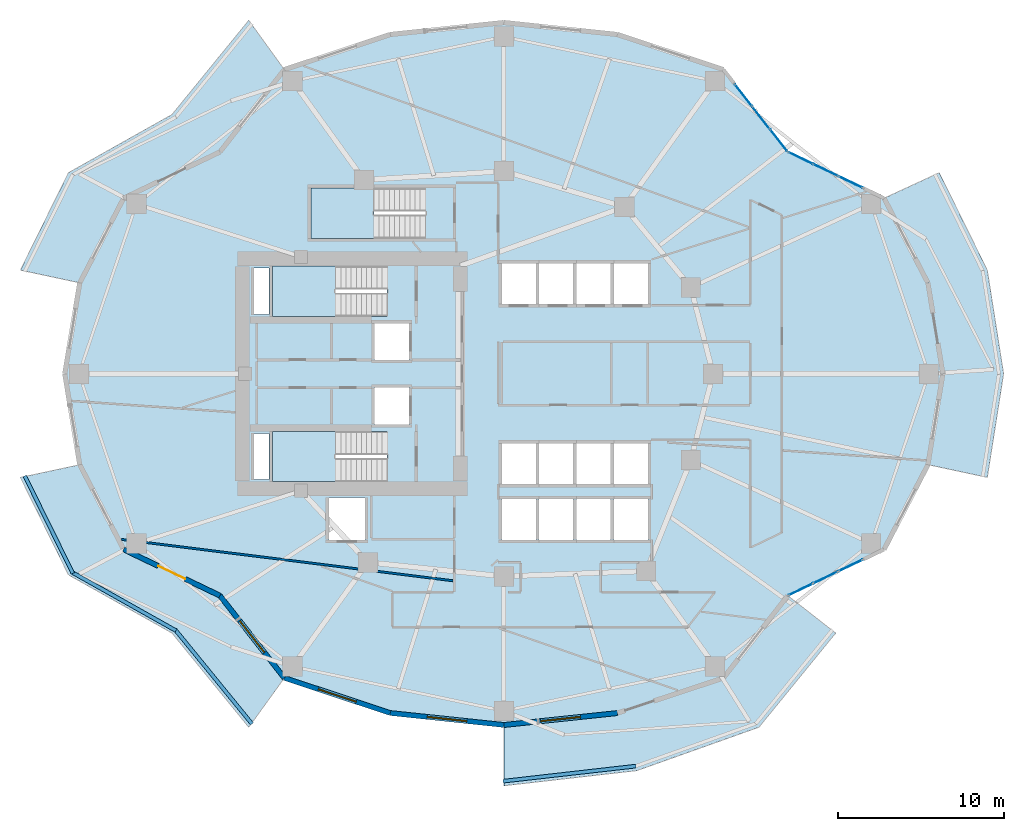
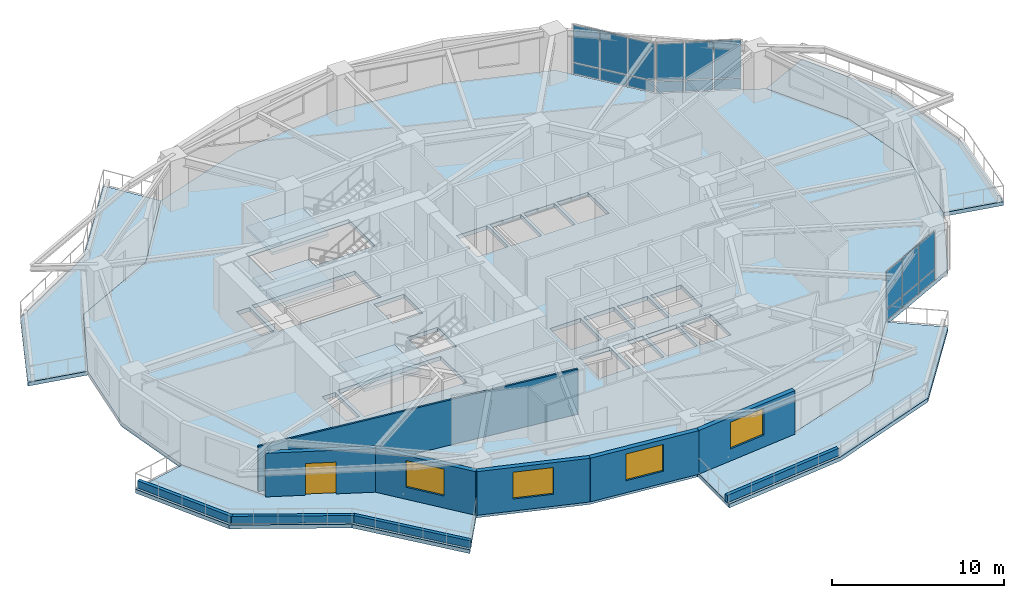
# One storey, part 5 of 13: 21 plates, 10 walls, 8 slabs, 4 windows, 1 door, 5 openings, 6 elements without a shape of their own.
"""IFC4 building model written with IfcOpenShell, lengths in metres."""

from ifc_helpers import new_model, si_unit, direction, frame, frame_2d, origin, origin_2d, place, context, subcontext, project, spatial, polyline, rectangle, outline, extrude, material, layer, layer_set, type_object, element, fill, aggregate, save


model = new_model("IFC4")

# Units and contexts
model_context = context("Model", 3, precision=1e-05, world=origin(), true_north=direction((0.0, 1.0)))
body_context = subcontext(model_context, "Body", "Model", "MODEL_VIEW")
ifc_project = project(units=[si_unit("LENGTHUNIT", "METRE"), si_unit("AREAUNIT", "SQUARE_METRE"), si_unit("VOLUMEUNIT", "CUBIC_METRE"), si_unit("PLANEANGLEUNIT", "RADIAN"), si_unit("MASSUNIT", "GRAM", prefix="KILO")], contexts=[model_context])

# Site, building, storey
site_placement = place(None, origin())
site = spatial("IfcSite", under=ifc_project, at=site_placement, CompositionType="ELEMENT")
building_placement = place(site_placement, origin())
building = spatial("IfcBuilding", under=site, at=building_placement, Name="Kolvaren Gate Tower and Convention Centre", CompositionType="ELEMENT")
storey_placement = place(building_placement, frame((0.0, 0.0, 76.550048828125)))
storey = spatial("IfcBuildingStorey", under=building, at=storey_placement, Name="L18", CompositionType="ELEMENT", Elevation=76.550048828125)

# Plates
ifc_material_1 = material(Name="Perforated Anodized Bronze Aluminium Sheet 6 mm", Category="aluminium")
ifc_layer_1 = layer(ifc_material_1, 0.011962890625)
ifc_layer_set_1 = layer_set([ifc_layer_1], Name="Perforated Anodized Bronze Aluminium Sheet 6 mm")
plate_type_1 = type_object("IfcPlateType", Name="ARCH-PL-SCREEN-PERF", PredefinedType="SHEET", material=ifc_layer_set_1)
for number, where, z_axis, x_axis, name in (
    (1, (50.122314453125, 38.967529296875, 2.72998046875), (0.0, 0.0, 1.0), (0.901357634097, -0.433075530889, 0.0), "Tower L18 Perforated Bronze Solar Screen SS-02"),
    (2, (45.283935546875, 42.83837890625, 2.72998046875), (0.0, 0.0, 1.0), (0.616431370541, -0.787408639407, 0.0), "Tower L18 Perforated Bronze Solar Screen SS-03"),
    (3, (50.122314453125, 15.032470703125, 2.72998046875), (0.0, 0.0, 1.0), (0.901357634097, 0.433075530889, 0.0), "Tower L18 Perforated Bronze Solar Screen SS-21"),
):
    element("IfcPlate", number, at=place(storey_placement, frame(where, z_axis=z_axis, x_axis=x_axis)), inside=storey, type_object=plate_type_1, Name=name, PredefinedType="SHEET", context=body_context, shape_type="SweptSolid", body=[
        extrude(rectangle(XDim=2.60009765625, YDim=0.011962890625, at=origin_2d()), origin(), (0.0, 0.0, 1.0), 0.840087890625),
    ])

# Curtain wall, plates
ifc_material_2 = material(Name="Anodized Architectural Aluminium Alloy 6063-T6", Category="aluminium")
ifc_layer_2 = layer(ifc_material_2, 0.159912109375)
ifc_layer_set_2 = layer_set([ifc_layer_2], Name="Anodized Architectural Aluminium Alloy 6063-T6")
curtain_wall_type = type_object("IfcCurtainWallType", Name="CW-OFF-UNIT", PredefinedType="NOTDEFINED", material=ifc_layer_set_2)
curtain_wall_1_placement = place(storey_placement, origin())
curtain_wall_1 = element("IfcCurtainWall", 4, at=curtain_wall_1_placement, inside=storey, type_object=curtain_wall_type, Name="Tower L18 Unitised Curtain Wall CW-OFF-UNIT Bay 02", PredefinedType="NOTDEFINED")
ifc_material_3 = material(Name="Low-E Triple Insulated Glazing Unit 44 mm", Category="glass")
ifc_layer_3 = layer(ifc_material_3, 0.0439453125)
ifc_layer_set_3 = layer_set([ifc_layer_3], Name="Low-E Triple Insulated Glazing Unit 44 mm")
plate_type_2 = type_object("IfcPlateType", Name="CW-PL-IGU-44", PredefinedType="CURTAIN_PANEL", material=ifc_layer_set_3)
plate_1_placement = place(storey_placement, frame((47.997314453125, 39.988525390625, 0.88232421875), z_axis=(0.0, 0.0, 1.0), x_axis=(0.901361695796, -0.433067077196, 0.0)))
plate_1 = element("IfcPlate", 5, at=plate_1_placement, type_object=plate_type_2, Name="CW-02 panel 1.2", PredefinedType="CURTAIN_PANEL", context=body_context, shape_type="SweptSolid", body=[
    extrude(rectangle(XDim=1.5859375, YDim=0.0439453125, at=origin_2d()), origin(), (0.0, 0.0, 1.0), 2.62255859375),
])
plate_2_placement = place(storey_placement, frame((49.499755859375, 39.2666015625, 0.88232421875), z_axis=(0.0, 0.0, 1.0), x_axis=(0.901361695796, -0.433067077196, 0.0)))
plate_2 = element("IfcPlate", 6, at=plate_2_placement, type_object=plate_type_2, Name="CW-02 panel 2.2", PredefinedType="CURTAIN_PANEL", context=body_context, shape_type="SweptSolid", body=[
    extrude(rectangle(XDim=1.618408203125, YDim=0.0439453125, at=origin_2d()), origin(), (0.0, 0.0, 1.0), 2.62255859375),
])
plate_3_placement = place(storey_placement, frame((51.00244140625, 38.544677734375, 0.88232421875), z_axis=(0.0, 0.0, 1.0), x_axis=(0.901361695796, -0.433067077196, 0.0)))
plate_3 = element("IfcPlate", 7, at=plate_3_placement, type_object=plate_type_2, Name="CW-02 panel 3.2", PredefinedType="CURTAIN_PANEL", context=body_context, shape_type="SweptSolid", body=[
    extrude(rectangle(XDim=1.5859375, YDim=0.0439453125, at=origin_2d()), origin(), (0.0, 0.0, 1.0), 2.62255859375),
])

curtain_wall_2_placement = place(storey_placement, origin())
curtain_wall_2 = element("IfcCurtainWall", 8, at=curtain_wall_2_placement, inside=storey, type_object=curtain_wall_type, Name="Tower L18 Unitised Curtain Wall CW-OFF-UNIT Bay 03", PredefinedType="NOTDEFINED")
plate_4_placement = place(storey_placement, frame((44.55322265625, 43.771484375, 0.88232421875), z_axis=(0.0, 0.0, 1.0), x_axis=(0.61643432946, -0.787406322976, 0.0)))
plate_4 = element("IfcPlate", 9, at=plate_4_placement, type_object=plate_type_2, Name="CW-02 panel 1.2", PredefinedType="CURTAIN_PANEL", context=body_context, shape_type="SweptSolid", body=[
    extrude(rectangle(XDim=1.641845703125, YDim=0.0439453125, at=origin_2d()), origin(), (0.0, 0.0, 1.0), 2.62255859375),
])
plate_5_placement = place(storey_placement, frame((45.615478515625, 42.41455078125, 0.88232421875), z_axis=(0.0, 0.0, 1.0), x_axis=(0.61643432946, -0.787406322976, 0.0)))
plate_5 = element("IfcPlate", 10, at=plate_5_placement, type_object=plate_type_2, Name="CW-02 panel 2.2", PredefinedType="CURTAIN_PANEL", context=body_context, shape_type="SweptSolid", body=[
    extrude(rectangle(XDim=1.674560546875, YDim=0.0439453125, at=origin_2d()), origin(), (0.0, 0.0, 1.0), 2.62255859375),
])
plate_6_placement = place(storey_placement, frame((46.677734375, 41.0576171875, 0.88232421875), z_axis=(0.0, 0.0, 1.0), x_axis=(0.61643432946, -0.787406322976, 0.0)))
plate_6 = element("IfcPlate", 11, at=plate_6_placement, type_object=plate_type_2, Name="CW-02 panel 3.2", PredefinedType="CURTAIN_PANEL", context=body_context, shape_type="SweptSolid", body=[
    extrude(rectangle(XDim=1.641845703125, YDim=0.0439453125, at=origin_2d()), origin(), (0.0, 0.0, 1.0), 2.62255859375),
])

curtain_wall_3_placement = place(storey_placement, origin())
curtain_wall_3 = element("IfcCurtainWall", 12, at=curtain_wall_3_placement, inside=storey, type_object=curtain_wall_type, Name="Tower L18 Unitised Curtain Wall CW-OFF-UNIT Bay 21", PredefinedType="NOTDEFINED")
plate_7_placement = place(storey_placement, frame((47.997314453125, 14.011474609375, 0.88232421875), z_axis=(0.0, 0.0, 1.0), x_axis=(0.901361695796, 0.433067077196, 0.0)))
plate_7 = element("IfcPlate", 13, at=plate_7_placement, type_object=plate_type_2, Name="CW-02 panel 1.2", PredefinedType="CURTAIN_PANEL", context=body_context, shape_type="SweptSolid", body=[
    extrude(rectangle(XDim=1.5859375, YDim=0.0439453125, at=origin_2d()), origin(), (0.0, 0.0, 1.0), 2.62255859375),
])
plate_8_placement = place(storey_placement, frame((49.499755859375, 14.7333984375, 0.88232421875), z_axis=(0.0, 0.0, 1.0), x_axis=(0.901361695796, 0.433067077196, 0.0)))
plate_8 = element("IfcPlate", 14, at=plate_8_placement, type_object=plate_type_2, Name="CW-02 panel 2.2", PredefinedType="CURTAIN_PANEL", context=body_context, shape_type="SweptSolid", body=[
    extrude(rectangle(XDim=1.618408203125, YDim=0.0439453125, at=origin_2d()), origin(), (0.0, 0.0, 1.0), 2.62255859375),
])
plate_9_placement = place(storey_placement, frame((51.00244140625, 15.455322265625, 0.88232421875), z_axis=(0.0, 0.0, 1.0), x_axis=(0.901361695796, 0.433067077196, 0.0)))
plate_9 = element("IfcPlate", 15, at=plate_9_placement, type_object=plate_type_2, Name="CW-02 panel 3.2", PredefinedType="CURTAIN_PANEL", context=body_context, shape_type="SweptSolid", body=[
    extrude(rectangle(XDim=1.5859375, YDim=0.0439453125, at=origin_2d()), origin(), (0.0, 0.0, 1.0), 2.62255859375),
])

# Plate
ifc_material_4 = material(Name="Solar-Control Laminated Curtain Glazing 36 mm", Category="glass")
ifc_layer_4 = layer(ifc_material_4, 0.035888671875)
ifc_layer_set_4 = layer_set([ifc_layer_4], Name="Solar-Control Laminated Curtain Glazing 36 mm")
plate_type_3 = type_object("IfcPlateType", Name="CW-PL-SPAN-36", PredefinedType="CURTAIN_PANEL", material=ifc_layer_set_4)
plate_10_placement = place(storey_placement, frame((47.997314453125, 39.988525390625, 0.06494140625), z_axis=(0.0, 0.0, 1.0), x_axis=(0.901361695796, -0.433067077196, 0.0)))
plate_10 = element("IfcPlate", 16, at=plate_10_placement, type_object=plate_type_3, Name="CW-02 panel 1.1", PredefinedType="CURTAIN_PANEL", context=body_context, shape_type="SweptSolid", body=[
    extrude(rectangle(XDim=1.5859375, YDim=0.035888671875, at=origin_2d()), origin(), (0.0, 0.0, 1.0), 0.75244140625),
])

plate_11_placement = place(storey_placement, frame((49.499755859375, 39.2666015625, 0.06494140625), z_axis=(0.0, 0.0, 1.0), x_axis=(0.901361695796, -0.433067077196, 0.0)))
plate_11 = element("IfcPlate", 17, at=plate_11_placement, type_object=plate_type_3, Name="CW-02 panel 2.1", PredefinedType="CURTAIN_PANEL", context=body_context, shape_type="SweptSolid", body=[
    extrude(rectangle(XDim=1.618408203125, YDim=0.035888671875, at=origin_2d()), origin(), (0.0, 0.0, 1.0), 0.75244140625),
])

plate_12_placement = place(storey_placement, frame((51.00244140625, 38.544677734375, 0.06494140625), z_axis=(0.0, 0.0, 1.0), x_axis=(0.901361695796, -0.433067077196, 0.0)))
plate_12 = element("IfcPlate", 18, at=plate_12_placement, type_object=plate_type_3, Name="CW-02 panel 3.1", PredefinedType="CURTAIN_PANEL", context=body_context, shape_type="SweptSolid", body=[
    extrude(rectangle(XDim=1.5859375, YDim=0.035888671875, at=origin_2d()), origin(), (0.0, 0.0, 1.0), 0.75244140625),
])

aggregate(curtain_wall_1, [plate_10, plate_1, plate_11, plate_2, plate_12, plate_3])

plate_13_placement = place(storey_placement, frame((44.55322265625, 43.771484375, 0.06494140625), z_axis=(0.0, 0.0, 1.0), x_axis=(0.61643432946, -0.787406322976, 0.0)))
plate_13 = element("IfcPlate", 19, at=plate_13_placement, type_object=plate_type_3, Name="CW-02 panel 1.1", PredefinedType="CURTAIN_PANEL", context=body_context, shape_type="SweptSolid", body=[
    extrude(rectangle(XDim=1.641845703125, YDim=0.035888671875, at=origin_2d()), origin(), (0.0, 0.0, 1.0), 0.75244140625),
])

plate_14_placement = place(storey_placement, frame((45.615478515625, 42.41455078125, 0.06494140625), z_axis=(0.0, 0.0, 1.0), x_axis=(0.61643432946, -0.787406322976, 0.0)))
plate_14 = element("IfcPlate", 20, at=plate_14_placement, type_object=plate_type_3, Name="CW-02 panel 2.1", PredefinedType="CURTAIN_PANEL", context=body_context, shape_type="SweptSolid", body=[
    extrude(rectangle(XDim=1.674560546875, YDim=0.035888671875, at=origin_2d()), origin(), (0.0, 0.0, 1.0), 0.75244140625),
])

plate_15_placement = place(storey_placement, frame((46.677734375, 41.0576171875, 0.06494140625), z_axis=(0.0, 0.0, 1.0), x_axis=(0.61643432946, -0.787406322976, 0.0)))
plate_15 = element("IfcPlate", 21, at=plate_15_placement, type_object=plate_type_3, Name="CW-02 panel 3.1", PredefinedType="CURTAIN_PANEL", context=body_context, shape_type="SweptSolid", body=[
    extrude(rectangle(XDim=1.641845703125, YDim=0.035888671875, at=origin_2d()), origin(), (0.0, 0.0, 1.0), 0.75244140625),
])

aggregate(curtain_wall_2, [plate_13, plate_4, plate_14, plate_5, plate_15, plate_6])

plate_16_placement = place(storey_placement, frame((47.997314453125, 14.011474609375, 0.06494140625), z_axis=(0.0, 0.0, 1.0), x_axis=(0.901361695796, 0.433067077196, 0.0)))
plate_16 = element("IfcPlate", 22, at=plate_16_placement, type_object=plate_type_3, Name="CW-02 panel 1.1", PredefinedType="CURTAIN_PANEL", context=body_context, shape_type="SweptSolid", body=[
    extrude(rectangle(XDim=1.5859375, YDim=0.035888671875, at=origin_2d()), origin(), (0.0, 0.0, 1.0), 0.75244140625),
])

plate_17_placement = place(storey_placement, frame((49.499755859375, 14.7333984375, 0.06494140625), z_axis=(0.0, 0.0, 1.0), x_axis=(0.901361695796, 0.433067077196, 0.0)))
plate_17 = element("IfcPlate", 23, at=plate_17_placement, type_object=plate_type_3, Name="CW-02 panel 2.1", PredefinedType="CURTAIN_PANEL", context=body_context, shape_type="SweptSolid", body=[
    extrude(rectangle(XDim=1.618408203125, YDim=0.035888671875, at=origin_2d()), origin(), (0.0, 0.0, 1.0), 0.75244140625),
])

plate_18_placement = place(storey_placement, frame((51.00244140625, 15.455322265625, 0.06494140625), z_axis=(0.0, 0.0, 1.0), x_axis=(0.901361695796, 0.433067077196, 0.0)))
plate_18 = element("IfcPlate", 24, at=plate_18_placement, type_object=plate_type_3, Name="CW-02 panel 3.1", PredefinedType="CURTAIN_PANEL", context=body_context, shape_type="SweptSolid", body=[
    extrude(rectangle(XDim=1.5859375, YDim=0.035888671875, at=origin_2d()), origin(), (0.0, 0.0, 1.0), 0.75244140625),
])

aggregate(curtain_wall_3, [plate_16, plate_7, plate_17, plate_8, plate_18, plate_9])

# Slabs
ifc_material_5 = material(Name="Concrete C50/60", Category="concrete")
ifc_layer_5 = layer(ifc_material_5, 0.27001953125)
ifc_layer_set_5 = layer_set([ifc_layer_5], Name="Concrete C50/60")
slab_type_1 = type_object("IfcSlabType", Name="STR-SL-BALC-270", PredefinedType="FLOOR", material=ifc_layer_set_5)
slab_1_placement = place(storey_placement, frame((0.0, 0.0, -0.27001953125)))
element("IfcSlab", 25, at=slab_1_placement, inside=storey, type_object=slab_type_1, Name="Tower L18 Planted Balcony Terrace Slab 1 (West)", PredefinedType="FLOOR", context=body_context, shape_type="SweptSolid", body=[
    extrude(outline(polyline([(16.90625, 45.31640625), (13.026123046875, 40.360107421875), (7.2294921875, 37.574951171875), (4.58837890625, 32.47412109375), (1.009521484375, 33.2412109375), (3.90673828125, 39.109619140625), (10.14208984375, 42.613525390625), (14.764404296875, 48.2841796875), (16.90625, 45.31640625)])), origin(), (0.0, 0.0, 1.0), 0.27001953125),
])
slab_2_placement = place(storey_placement, frame((0.0, 0.0, -0.27001953125)))
element("IfcSlab", 26, at=slab_2_placement, inside=storey, type_object=slab_type_1, Name="Tower L18 Planted Balcony Terrace Slab 2 (West)", PredefinedType="FLOOR", context=body_context, shape_type="SweptSolid", body=[
    extrude(outline(polyline([(4.58837890625, 21.52587890625), (7.2294921875, 16.425048828125), (13.026123046875, 13.639892578125), (16.90625, 8.68359375), (14.764404296875, 5.7158203125), (10.14208984375, 11.386474609375), (3.90673828125, 14.890380859375), (1.009521484375, 20.7587890625), (4.58837890625, 21.52587890625)])), origin(), (0.0, 0.0, 1.0), 0.27001953125),
])
slab_3_placement = place(storey_placement, frame((0.0, 0.0, -0.27001953125)))
element("IfcSlab", 27, at=slab_3_placement, inside=storey, type_object=slab_type_1, Name="Tower L18 Planted Balcony Terrace Slab 3 (South)", PredefinedType="FLOOR", context=body_context, shape_type="SweptSolid", body=[
    extrude(outline(polyline([(30.125, 5.85009765625), (36.967529296875, 6.57080078125), (43.34375, 8.68359375), (47.223876953125, 13.639892578125), (50.10791015625, 11.386474609375), (45.485595703125, 5.7158203125), (38.1298828125, 3.10009765625), (30.125, 2.18994140625), (30.125, 5.85009765625)])), origin(), (0.0, 0.0, 1.0), 0.27001953125),
])
slab_4_placement = place(storey_placement, frame((0.0, 0.0, -0.27001953125)))
element("IfcSlab", 28, at=slab_4_placement, inside=storey, type_object=slab_type_1, Name="Tower L18 Planted Balcony Terrace Slab 4 (East)", PredefinedType="FLOOR", context=body_context, shape_type="SweptSolid", body=[
    extrude(outline(polyline([(55.66162109375, 21.52587890625), (56.5625, 27.0), (55.66162109375, 32.47412109375), (53.0205078125, 37.574951171875), (56.34326171875, 39.109619140625), (59.240478515625, 33.2412109375), (60.222412109375, 27.0), (59.240478515625, 20.7587890625), (55.66162109375, 21.52587890625)])), origin(), (0.0, 0.0, 1.0), 0.27001953125),
])
ifc_layer_6 = layer(ifc_material_5, 0.280029296875)
ifc_layer_set_6 = layer_set([ifc_layer_6], Name="Concrete C50/60")
slab_type_2 = type_object("IfcSlabType", Name="STR-SL-FLR-280", PredefinedType="FLOOR", material=ifc_layer_set_6)
slab_5_placement = place(storey_placement, frame((0.0, 0.0, -0.280029296875)))
element("IfcSlab", 29, at=slab_5_placement, inside=storey, type_object=slab_type_2, Name="Tower L18 Structural Floor Slab", PredefinedType="FLOOR", context=body_context, shape_type="SweptSolid", body=[
    extrude(outline(polyline([(56.5625, 27.0), (55.66162109375, 32.47412109375), (53.0205078125, 37.574951171875), (47.223876953125, 40.360107421875), (43.34375, 45.31640625), (36.967529296875, 47.42919921875), (30.125, 48.14990234375), (23.282470703125, 47.42919921875), (16.90625, 45.31640625), (13.026123046875, 40.360107421875), (7.2294921875, 37.574951171875), (4.58837890625, 32.47412109375), (3.6875, 27.0), (4.58837890625, 21.52587890625), (7.2294921875, 16.425048828125), (13.026123046875, 13.639892578125), (16.90625, 8.68359375), (23.282470703125, 6.57080078125), (30.125, 5.85009765625), (36.967529296875, 6.57080078125), (43.34375, 8.68359375), (47.223876953125, 13.639892578125), (53.0205078125, 16.425048828125), (55.66162109375, 21.52587890625), (56.5625, 27.0)]), holes=[polyline([(36.75, 33.64990234375), (38.800048828125, 33.64990234375), (38.800048828125, 31.199951171875), (36.75, 31.199951171875), (36.75, 33.64990234375)]), polyline([(36.75, 20.35009765625), (36.75, 22.800048828125), (38.800048828125, 22.800048828125), (38.800048828125, 20.35009765625), (36.75, 20.35009765625)]), polyline([(36.75, 17.0), (36.75, 19.449951171875), (38.800048828125, 19.449951171875), (38.800048828125, 17.0), (36.75, 17.0)]), polyline([(34.5, 33.64990234375), (36.550048828125, 33.64990234375), (36.550048828125, 31.199951171875), (34.5, 31.199951171875), (34.5, 33.64990234375)]), polyline([(34.5, 22.800048828125), (36.550048828125, 22.800048828125), (36.550048828125, 20.35009765625), (34.5, 20.35009765625), (34.5, 22.800048828125)]), polyline([(34.5, 17.0), (34.5, 19.449951171875), (36.550048828125, 19.449951171875), (36.550048828125, 17.0), (34.5, 17.0)]), polyline([(32.25, 31.199951171875), (32.25, 33.64990234375), (34.300048828125, 33.64990234375), (34.300048828125, 31.199951171875), (32.25, 31.199951171875)]), polyline([(32.25, 22.800048828125), (34.300048828125, 22.800048828125), (34.300048828125, 20.35009765625), (32.25, 20.35009765625), (32.25, 22.800048828125)]), polyline([(32.25, 17.0), (32.25, 19.449951171875), (34.300048828125, 19.449951171875), (34.300048828125, 17.0), (32.25, 17.0)]), polyline([(30.0, 31.199951171875), (30.0, 33.64990234375), (32.050048828125, 33.64990234375), (32.050048828125, 31.199951171875), (30.0, 31.199951171875)]), polyline([(30.0, 20.35009765625), (30.0, 22.800048828125), (32.050048828125, 22.800048828125), (32.050048828125, 20.35009765625), (30.0, 20.35009765625)]), polyline([(30.0, 17.0), (30.0, 19.449951171875), (32.050048828125, 19.449951171875), (32.050048828125, 17.0), (30.0, 17.0)]), polyline([(25.39990234375, 35.159912109375), (18.5, 35.159912109375), (18.5, 38.199951171875), (25.39990234375, 38.199951171875), (25.39990234375, 35.159912109375)]), polyline([(22.35009765625, 27.840087890625), (22.35009765625, 30.0400390625), (24.39990234375, 30.0400390625), (24.39990234375, 27.840087890625), (22.35009765625, 27.840087890625)]), polyline([(22.35009765625, 23.9599609375), (22.35009765625, 26.159912109375), (24.39990234375, 26.159912109375), (24.39990234375, 23.9599609375), (22.35009765625, 23.9599609375)]), polyline([(23.10009765625, 30.4599609375), (16.199951171875, 30.4599609375), (16.199951171875, 33.5), (23.10009765625, 33.5), (23.10009765625, 30.4599609375)]), polyline([(23.10009765625, 20.5), (16.199951171875, 20.5), (16.199951171875, 23.5400390625), (23.10009765625, 23.5400390625), (23.10009765625, 20.5)]), polyline([(19.60009765625, 17.0), (19.60009765625, 19.550048828125), (21.75, 19.550048828125), (21.75, 17.0), (19.60009765625, 17.0)]), polyline([(15.080078125, 23.419921875), (15.969970703125, 23.419921875), (15.969970703125, 20.6298828125), (15.080078125, 20.6298828125), (15.080078125, 23.419921875)]), polyline([(15.080078125, 30.580078125), (15.080078125, 33.3701171875), (15.969970703125, 33.3701171875), (15.969970703125, 30.580078125), (15.080078125, 30.580078125)])]), origin(), (0.0, 0.0, 1.0), 0.280029296875),
])

# Stair, slab
stair_type = type_object("IfcStairType", Name="STR-STAIR-CORE", PredefinedType="HALF_TURN_STAIR", material=ifc_material_5)
stair_1_placement = place(storey_placement, origin())
stair_1 = element("IfcStair", 30, at=stair_1_placement, inside=storey, type_object=stair_type, Name="L18 Tower North Exit Stair ST-T1", PredefinedType="HALF_TURN_STAIR")
ifc_layer_7 = layer(ifc_material_5, 0.199951171875)
ifc_layer_set_7 = layer_set([ifc_layer_7], Name="Concrete C50/60")
slab_type_3 = type_object("IfcSlabType", Name="STR-SL-LAND-200", PredefinedType="LANDING", material=ifc_layer_set_7)
slab_6_placement = place(storey_placement, frame((0.0, 0.0, 1.724853515625)))
slab_6 = element("IfcSlab", 31, at=slab_6_placement, type_object=slab_type_3, Name="ST-T1 landing 1", PredefinedType="LANDING", context=body_context, shape_type="SweptSolid", body=[
    extrude(outline(polyline([(20.0, 33.5), (16.199951171875, 33.5), (16.199951171875, 30.4599609375), (20.0, 30.4599609375), (20.0, 33.5)])), origin(), (0.0, 0.0, 1.0), 0.2001953125),
])
aggregate(stair_1, [slab_6])

stair_2_placement = place(storey_placement, origin())
stair_2 = element("IfcStair", 32, at=stair_2_placement, inside=storey, type_object=stair_type, Name="L18 Tower South Exit Stair ST-T2", PredefinedType="HALF_TURN_STAIR")
slab_7_placement = place(storey_placement, frame((0.0, 0.0, 1.724853515625)))
slab_7 = element("IfcSlab", 33, at=slab_7_placement, type_object=slab_type_3, Name="ST-T2 landing 1", PredefinedType="LANDING", context=body_context, shape_type="SweptSolid", body=[
    extrude(outline(polyline([(20.0, 23.5400390625), (16.199951171875, 23.5400390625), (16.199951171875, 20.5), (20.0, 20.5), (20.0, 23.5400390625)])), origin(), (0.0, 0.0, 1.0), 0.2001953125),
])
aggregate(stair_2, [slab_7])

stair_3_placement = place(storey_placement, origin())
stair_3 = element("IfcStair", 34, at=stair_3_placement, inside=storey, type_object=stair_type, Name="L18 Tower Mid-Zone Exit Stair ST-T3", PredefinedType="HALF_TURN_STAIR")
slab_8_placement = place(storey_placement, frame((0.0, 0.0, 1.724853515625)))
slab_8 = element("IfcSlab", 35, at=slab_8_placement, type_object=slab_type_3, Name="ST-T3 landing 1", PredefinedType="LANDING", context=body_context, shape_type="SweptSolid", body=[
    extrude(outline(polyline([(22.300048828125, 38.199951171875), (18.5, 38.199951171875), (18.5, 35.159912109375), (22.300048828125, 35.159912109375), (22.300048828125, 38.199951171875)])), origin(), (0.0, 0.0, 1.0), 0.2001953125),
])
aggregate(stair_3, [slab_8])

# Walls
ifc_material_6 = material(Name="Fire-Rated Acoustic Gypsum Stud Partition", Category="gypsum")
ifc_layer_8 = layer(ifc_material_6, 0.1201171875)
ifc_layer_set_8 = layer_set([ifc_layer_8], Name="Fire-Rated Acoustic Gypsum Stud Partition")
wall_type_1 = type_object("IfcWallType", Name="ARCH-WL-PART-120", PredefinedType="PARTITIONING", material=ifc_layer_set_8)
wall_1_placement = place(storey_placement, frame((7.08935546875, 17.0263671875, 0.0), z_axis=(0.0, 0.0, 1.0), x_axis=(0.992316064114, -0.123728852337, 0.0)))
element("IfcWall", 36, at=wall_1_placement, inside=storey, type_object=wall_type_1, Name="Interior Partition WL-L18-INT-045", PredefinedType="PARTITIONING", context=body_context, shape_type="SweptSolid", body=[
    extrude(rectangle(XDim=20.138427734375, YDim=0.1201171875, at=frame_2d((10.0693359375, 0.0))), origin(), (0.0, 0.0, 1.0), 3.204833984375),
])
ifc_material_7 = material(Name="Piedmont Cream Honed Limestone Cladding", Category="masonry")
ifc_layer_9 = layer(ifc_material_7, 0.219970703125)
ifc_layer_set_9 = layer_set([ifc_layer_9], Name="Piedmont Cream Honed Limestone Cladding")
wall_type_2 = type_object("IfcWallType", Name="ARCH-WL-PLANTER-220", PredefinedType="PARAPET", material=ifc_layer_set_9)
wall_2_placement = place(storey_placement, frame((1.275390625, 20.846923828125, 0.0), z_axis=(0.0, 0.0, 1.0), x_axis=(0.442686636348, -0.89667638644, 0.0)))
element("IfcWall", 37, at=wall_2_placement, inside=storey, type_object=wall_type_2, Name="Vertical-Forest Balcony Stone Planter Kerb PK-L18-2.1", PredefinedType="PARAPET", context=body_context, shape_type="SweptSolid", body=[
    extrude(rectangle(XDim=6.544677734375, YDim=0.219970703125, at=frame_2d((3.2724609375, 0.0))), origin(), (0.0, 0.0, 1.0), 0.52001953125),
])
wall_3_placement = place(storey_placement, frame((4.14697265625, 15.034423828125, 0.0), z_axis=(0.0, 0.0, 1.0), x_axis=(0.871775109335, -0.489906275468, 0.0)))
element("IfcWall", 38, at=wall_3_placement, inside=storey, type_object=wall_type_2, Name="Vertical-Forest Balcony Stone Planter Kerb PK-L18-2.2", PredefinedType="PARAPET", context=body_context, shape_type="SweptSolid", body=[
    extrude(rectangle(XDim=7.152099609375, YDim=0.219970703125, at=frame_2d((3.576171875, 0.0))), origin(), (0.0, 0.0, 1.0), 0.52001953125),
])
wall_4_placement = place(storey_placement, frame((10.335693359375, 11.588623046875, 0.0), z_axis=(0.0, 0.0, 1.0), x_axis=(0.631819273026, -0.775115737315, 0.0)))
element("IfcWall", 39, at=wall_4_placement, inside=storey, type_object=wall_type_2, Name="Vertical-Forest Balcony Stone Planter Kerb PK-L18-2.3", PredefinedType="PARAPET", context=body_context, shape_type="SweptSolid", body=[
    extrude(rectangle(XDim=7.31591796875, YDim=0.219970703125, at=frame_2d((3.657958984375, 0.0))), origin(), (0.0, 0.0, 1.0), 0.52001953125),
])
wall_5_placement = place(storey_placement, frame((30.07958984375, 2.46630859375, 0.0), z_axis=(0.0, 0.0, 1.0), x_axis=(0.993598144351, 0.112972242349, 0.0)))
element("IfcWall", 40, at=wall_5_placement, inside=storey, type_object=wall_type_2, Name="Vertical-Forest Balcony Stone Planter Kerb PK-L18-3.1", PredefinedType="PARAPET", context=body_context, shape_type="SweptSolid", body=[
    extrude(rectangle(XDim=8.056396484375, YDim=0.219970703125, at=frame_2d((4.0283203125, 0.0))), origin(), (0.0, 0.0, 1.0), 0.52001953125),
])

# Wall, opening, door
ifc_layer_10 = layer(ifc_material_7, 0.300048828125)
ifc_layer_set_10 = layer_set([ifc_layer_10], Name="Piedmont Cream Honed Limestone Cladding")
wall_type_3 = type_object("IfcWallType", Name="ARCH-WL-STONE-300", PredefinedType="SOLIDWALL", material=ifc_layer_set_10)
wall_6_placement = place(storey_placement, frame((7.2294921875, 16.425048828125, 0.0), z_axis=(0.0, 0.0, 1.0), x_axis=(0.901354747727, -0.433081538224, 0.0)))
wall_6 = element("IfcWall", 41, at=wall_6_placement, inside=storey, type_object=wall_type_3, Name="Tower L18 Honed Stone Spandrel Wall EW-14", PredefinedType="SOLIDWALL", context=body_context, shape_type="SweptSolid", body=[
    extrude(rectangle(XDim=6.430908203125, YDim=0.300048828125, at=frame_2d((3.21533203125, 0.0))), origin(), (0.0, 0.0, 1.0), 3.093017578125),
])
opening_1_placement = place(wall_6_placement, frame((2.31494140625, 0.0, 0.0)))
opening_1 = element("IfcOpeningElement", 42, at=opening_1_placement, cuts=wall_6, Name="Opening DB-01", PredefinedType="OPENING", context=body_context, shape_type="SweptSolid", body=[
    extrude(rectangle(XDim=1.800048828125, YDim=2.25, at=frame_2d((0.89990234375, 1.125))), frame((0.0, 0.159912109375, 0.0), z_axis=(0.0, -1.0, 0.0), x_axis=(1.0, 0.0, 0.0)), (0.0, 0.0, 1.0), 0.320068359375),
])
door_type = type_object("IfcDoorType", Name="ARCH-DR-BALC-1800", OperationType="SLIDING_TO_LEFT", PredefinedType="DOOR", material=ifc_material_2)
door_placement = place(opening_1_placement, frame((1.800048828125, 0.0, 0.0), z_axis=(0.0, 0.0, 1.0), x_axis=(-1.0, 0.0, 0.0)))
door = element("IfcDoor", 43, at=door_placement, inside=storey, type_object=door_type, Name="Planted Sky Terrace Access Door DB-L18-14", OperationType="SLIDING_TO_LEFT", OverallHeight=2.25, OverallWidth=1.800048828125, PredefinedType="DOOR", context=body_context, shape_type="SweptSolid", body=[
    extrude(rectangle(XDim=1.800048828125, YDim=2.25, at=frame_2d((0.89990234375, 1.125))), frame((0.0, 0.02490234375, 0.0), z_axis=(0.0, -1.0, 0.0), x_axis=(1.0, 0.0, 0.0)), (0.0, 0.0, 1.0), 0.050048828125),
])
fill(opening_1, door)

# Wall, opening, window
wall_7_placement = place(storey_placement, frame((13.026123046875, 13.639892578125, 0.0), z_axis=(0.0, 0.0, 1.0), x_axis=(0.616434798832, -0.78740595552, 0.0)))
wall_7 = element("IfcWall", 44, at=wall_7_placement, inside=storey, type_object=wall_type_3, Name="Tower L18 Honed Stone Spandrel Wall EW-15", PredefinedType="SOLIDWALL", context=body_context, shape_type="SweptSolid", body=[
    extrude(rectangle(XDim=6.29443359375, YDim=0.300048828125, at=frame_2d((3.147216796875, 0.0))), origin(), (0.0, 0.0, 1.0), 3.093017578125),
])
opening_2_placement = place(wall_7_placement, frame((1.947021484375, 0.0, 0.85009765625)))
opening_2 = element("IfcOpeningElement", 45, at=opening_2_placement, cuts=wall_7, Name="Opening W-01", PredefinedType="OPENING", context=body_context, shape_type="SweptSolid", body=[
    extrude(rectangle(XDim=2.39990234375, YDim=1.89990234375, at=frame_2d((1.199951171875, 0.949951171875))), frame((0.0, 0.159912109375, 0.0), z_axis=(0.0, -1.0, 0.0), x_axis=(1.0, 0.0, 0.0)), (0.0, 0.0, 1.0), 0.320068359375),
])
window_type = type_object("IfcWindowType", Name="ARCH-WN-OFF-2400", PartitioningType="SINGLE_PANEL", PredefinedType="WINDOW", material=ifc_material_3)
window_1_placement = place(opening_2_placement, origin())
window_1 = element("IfcWindow", 46, at=window_1_placement, inside=storey, type_object=window_type, Name="Tower L18 Punched Stone Facade Window W-15", OverallHeight=1.89990234375, OverallWidth=2.39990234375, PartitioningType="SINGLE_PANEL", PredefinedType="WINDOW", context=body_context, shape_type="SweptSolid", body=[
    extrude(rectangle(XDim=2.39990234375, YDim=1.89990234375, at=frame_2d((1.199951171875, 0.949951171875))), frame((0.0, 0.030029296875, 0.0), z_axis=(0.0, -1.0, 0.0), x_axis=(1.0, 0.0, 0.0)), (0.0, 0.0, 1.0), 0.06005859375),
])
fill(opening_2, window_1)

wall_8_placement = place(storey_placement, frame((16.90625, 8.68359375, 0.0), z_axis=(0.0, 0.0, 1.0), x_axis=(0.949245153629, -0.314537181127, 0.0)))
wall_8 = element("IfcWall", 47, at=wall_8_placement, inside=storey, type_object=wall_type_3, Name="Tower L18 Honed Stone Spandrel Wall EW-16", PredefinedType="SOLIDWALL", context=body_context, shape_type="SweptSolid", body=[
    extrude(rectangle(XDim=6.717041015625, YDim=0.300048828125, at=frame_2d((3.3583984375, 0.0))), origin(), (0.0, 0.0, 1.0), 3.093017578125),
])
opening_3_placement = place(wall_8_placement, frame((2.158935546875, 0.0, 0.85009765625)))
opening_3 = element("IfcOpeningElement", 48, at=opening_3_placement, cuts=wall_8, Name="Opening W-01", PredefinedType="OPENING", context=body_context, shape_type="SweptSolid", body=[
    extrude(rectangle(XDim=2.39990234375, YDim=1.89990234375, at=frame_2d((1.199951171875, 0.949951171875))), frame((0.0, 0.159912109375, 0.0), z_axis=(0.0, -1.0, 0.0), x_axis=(1.0, 0.0, 0.0)), (0.0, 0.0, 1.0), 0.320068359375),
])
window_2_placement = place(opening_3_placement, origin())
window_2 = element("IfcWindow", 49, at=window_2_placement, inside=storey, type_object=window_type, Name="Tower L18 Punched Stone Facade Window W-16", OverallHeight=1.89990234375, OverallWidth=2.39990234375, PartitioningType="SINGLE_PANEL", PredefinedType="WINDOW", context=body_context, shape_type="SweptSolid", body=[
    extrude(rectangle(XDim=2.39990234375, YDim=1.89990234375, at=frame_2d((1.199951171875, 0.949951171875))), frame((0.0, 0.030029296875, 0.0), z_axis=(0.0, -1.0, 0.0), x_axis=(1.0, 0.0, 0.0)), (0.0, 0.0, 1.0), 0.06005859375),
])
fill(opening_3, window_2)

wall_9_placement = place(storey_placement, frame((23.282470703125, 6.57080078125, 0.0), z_axis=(0.0, 0.0, 1.0), x_axis=(0.994498840295, -0.104747585419, 0.0)))
wall_9 = element("IfcWall", 50, at=wall_9_placement, inside=storey, type_object=wall_type_3, Name="Tower L18 Honed Stone Spandrel Wall EW-17", PredefinedType="SOLIDWALL", context=body_context, shape_type="SweptSolid", body=[
    extrude(rectangle(XDim=6.88037109375, YDim=0.300048828125, at=frame_2d((3.440185546875, 0.0))), origin(), (0.0, 0.0, 1.0), 3.093017578125),
])
opening_4_placement = place(wall_9_placement, frame((2.239990234375, 0.0, 0.85009765625)))
opening_4 = element("IfcOpeningElement", 51, at=opening_4_placement, cuts=wall_9, Name="Opening W-01", PredefinedType="OPENING", context=body_context, shape_type="SweptSolid", body=[
    extrude(rectangle(XDim=2.39990234375, YDim=1.89990234375, at=frame_2d((1.199951171875, 0.949951171875))), frame((0.0, 0.159912109375, 0.0), z_axis=(0.0, -1.0, 0.0), x_axis=(1.0, 0.0, 0.0)), (0.0, 0.0, 1.0), 0.320068359375),
])
window_3_placement = place(opening_4_placement, origin())
window_3 = element("IfcWindow", 52, at=window_3_placement, inside=storey, type_object=window_type, Name="Tower L18 Punched Stone Facade Window W-17", OverallHeight=1.89990234375, OverallWidth=2.39990234375, PartitioningType="SINGLE_PANEL", PredefinedType="WINDOW", context=body_context, shape_type="SweptSolid", body=[
    extrude(rectangle(XDim=2.39990234375, YDim=1.89990234375, at=frame_2d((1.199951171875, 0.949951171875))), frame((0.0, 0.030029296875, 0.0), z_axis=(0.0, -1.0, 0.0), x_axis=(1.0, 0.0, 0.0)), (0.0, 0.0, 1.0), 0.06005859375),
])
fill(opening_4, window_3)

wall_10_placement = place(storey_placement, frame((30.125, 5.85009765625, 0.0), z_axis=(0.0, 0.0, 1.0), x_axis=(0.994498840295, 0.104747585419, 0.0)))
wall_10 = element("IfcWall", 53, at=wall_10_placement, inside=storey, type_object=wall_type_3, Name="Tower L18 Honed Stone Spandrel Wall EW-18", PredefinedType="SOLIDWALL", context=body_context, shape_type="SweptSolid", body=[
    extrude(rectangle(XDim=6.88037109375, YDim=0.300048828125, at=frame_2d((3.440185546875, 0.0))), origin(), (0.0, 0.0, 1.0), 3.093017578125),
])
opening_5_placement = place(wall_10_placement, frame((2.239990234375, 0.0, 0.85009765625)))
opening_5 = element("IfcOpeningElement", 54, at=opening_5_placement, cuts=wall_10, Name="Opening W-01", PredefinedType="OPENING", context=body_context, shape_type="SweptSolid", body=[
    extrude(rectangle(XDim=2.39990234375, YDim=1.89990234375, at=frame_2d((1.199951171875, 0.949951171875))), frame((0.0, 0.159912109375, 0.0), z_axis=(0.0, -1.0, 0.0), x_axis=(1.0, 0.0, 0.0)), (0.0, 0.0, 1.0), 0.320068359375),
])
window_4_placement = place(opening_5_placement, origin())
window_4 = element("IfcWindow", 55, at=window_4_placement, inside=storey, type_object=window_type, Name="Tower L18 Punched Stone Facade Window W-18", OverallHeight=1.89990234375, OverallWidth=2.39990234375, PartitioningType="SINGLE_PANEL", PredefinedType="WINDOW", context=body_context, shape_type="SweptSolid", body=[
    extrude(rectangle(XDim=2.39990234375, YDim=1.89990234375, at=frame_2d((1.199951171875, 0.949951171875))), frame((0.0, 0.030029296875, 0.0), z_axis=(0.0, -1.0, 0.0), x_axis=(1.0, 0.0, 0.0)), (0.0, 0.0, 1.0), 0.06005859375),
])
fill(opening_5, window_4)

save(model, "model.ifc")
